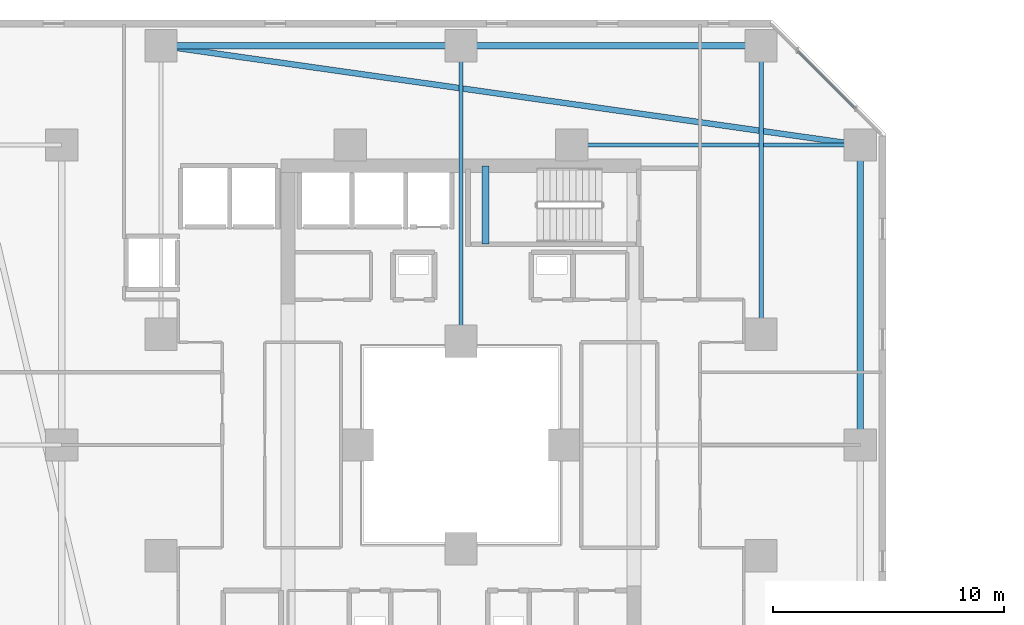
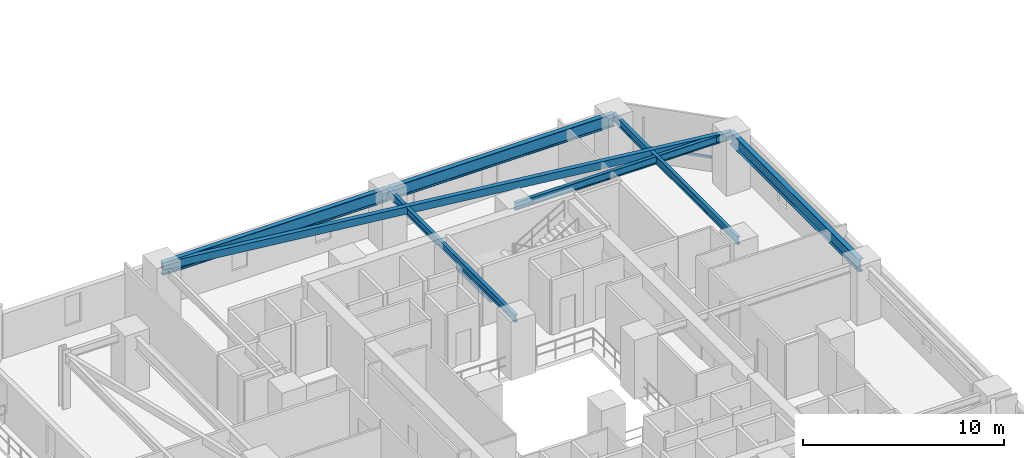
# One storey, part 8 of 33: 8 beams, 1 member, 1 element without a shape of its own.
"""IFC4 building model written with IfcOpenShell, lengths in metres."""

from ifc_helpers import new_model, si_unit, direction, frame, origin, origin_2d, place, context, subcontext, project, spatial, rectangle, hollow_rectangle, i_section, extrude, material, material_profile, profile_set, type_object, element, aggregate, save


model = new_model("IFC4")

# Units and contexts
model_context = context("Model", 3, precision=1e-05, world=origin(), true_north=direction((0.0, 1.0)))
body_context = subcontext(model_context, "Body", "Model", "MODEL_VIEW")
ifc_project = project(units=[si_unit("LENGTHUNIT", "METRE"), si_unit("AREAUNIT", "SQUARE_METRE"), si_unit("VOLUMEUNIT", "CUBIC_METRE"), si_unit("PLANEANGLEUNIT", "RADIAN"), si_unit("MASSUNIT", "GRAM", prefix="KILO")], contexts=[model_context])

# Site, building, storey
site_placement = place(None, origin())
site = spatial("IfcSite", under=ifc_project, at=site_placement, CompositionType="ELEMENT")
building_placement = place(site_placement, origin())
building = spatial("IfcBuilding", under=site, at=building_placement, Name="Thornwick Lancets Civic Towers", CompositionType="ELEMENT")
storey_placement = place(building_placement, frame((0.0, 0.0, 42.300048828125)))
storey = spatial("IfcBuildingStorey", under=building, at=storey_placement, Name="L10", CompositionType="ELEMENT", Elevation=42.300048828125)

# Beams
ifc_material_1 = material(Name="Steel S355JR", Category="steel")
ifc_material_profile_1 = material_profile(ifc_material_1, i_section(OverallWidth=0.26806640625, OverallDepth=0.769775390625, WebThickness=0.015625, FlangeThickness=0.025390625, FilletRadius=0.0166015625, at=origin_2d()), Name="UKB 762x267x197")
ifc_profile_set_1 = profile_set([ifc_material_profile_1], Name="Steel S355JR")
beam_type_1 = type_object("IfcBeamType", Name="BM_GIRD_762_197", PredefinedType="BEAM", material=ifc_profile_set_1)
beam_1_placement = place(storey_placement, frame((42.800048828125, 27.080078125, 2.97509765625), z_axis=(0.0, 1.0, 0.0), x_axis=(-1.0, 0.0, 0.0)))
element("IfcBeam", 1, at=beam_1_placement, inside=storey, type_object=beam_type_1, Name="BM-SPINE-L10-A-4-5", PredefinedType="BEAM", context=body_context, shape_type="SweptSolid", body=[
    extrude(i_section(OverallWidth=0.26806640625, OverallDepth=0.769775390625, WebThickness=0.015625, FlangeThickness=0.025390625, FilletRadius=0.0166015625, at=origin_2d()), origin(), (0.0, 0.0, 1.0), 12.919921875),
])
beam_2_placement = place(storey_placement, frame((12.5, 44.300048828125, 2.97509765625), z_axis=(1.0, 0.0, 0.0), x_axis=(0.0, 1.0, 0.0)))
element("IfcBeam", 2, at=beam_2_placement, inside=storey, type_object=beam_type_1, Name="BM-SPINE-L10-A-6-7", PredefinedType="BEAM", context=body_context, shape_type="SweptSolid", body=[
    extrude(i_section(OverallWidth=0.26806640625, OverallDepth=0.769775390625, WebThickness=0.015625, FlangeThickness=0.025390625, FilletRadius=0.0166015625, at=origin_2d()), origin(), (0.0, 0.0, 1.0), 13.0),
])
beam_3_placement = place(storey_placement, frame((25.580078125, 44.300048828125, 2.97509765625), z_axis=(1.0, 0.0, 0.0), x_axis=(0.0, 1.0, 0.0)))
element("IfcBeam", 3, at=beam_3_placement, inside=storey, type_object=beam_type_1, Name="BM-SPINE-L10-A-7-8", PredefinedType="BEAM", context=body_context, shape_type="SweptSolid", body=[
    extrude(i_section(OverallWidth=0.26806640625, OverallDepth=0.769775390625, WebThickness=0.015625, FlangeThickness=0.025390625, FilletRadius=0.0166015625, at=origin_2d()), origin(), (0.0, 0.0, 1.0), 12.919921875),
])
ifc_material_profile_2 = material_profile(ifc_material_1, i_section(OverallWidth=0.19189453125, OverallDepth=0.46337890625, WebThickness=0.010498046875, FlangeThickness=0.017578125, FilletRadius=0.01025390625, at=origin_2d()), Name="UKB 457x191x89")
ifc_profile_set_2 = profile_set([ifc_material_profile_2], Name="Steel S355JR")
beam_type_2 = type_object("IfcBeamType", Name="BM_JOIST_457_89", PredefinedType="JOIST", material=ifc_profile_set_2)
beam_4_placement = place(storey_placement, frame((30.300048828125, 40.0, 3.128173828125), z_axis=(1.0, 0.0, 0.0), x_axis=(0.0, 1.0, 0.0)))
element("IfcBeam", 4, at=beam_4_placement, inside=storey, type_object=beam_type_2, Name="BM-RADIN-L10-A06", PredefinedType="JOIST", context=body_context, shape_type="SweptSolid", body=[
    extrude(i_section(OverallWidth=0.19189453125, OverallDepth=0.46337890625, WebThickness=0.010498046875, FlangeThickness=0.017578125, FilletRadius=0.01025390625, at=origin_2d()), origin(), (0.0, 0.0, 1.0), 12.5),
])
beam_5_placement = place(storey_placement, frame((25.5, 31.5, 3.128173828125), z_axis=(0.0, 1.0, 0.0), x_axis=(-1.0, 0.0, 0.0)))
element("IfcBeam", 5, at=beam_5_placement, inside=storey, type_object=beam_type_2, Name="BM-RADIN-L10-A08", PredefinedType="JOIST", context=body_context, shape_type="SweptSolid", body=[
    extrude(i_section(OverallWidth=0.19189453125, OverallDepth=0.46337890625, WebThickness=0.010498046875, FlangeThickness=0.017578125, FilletRadius=0.01025390625, at=origin_2d()), origin(), (0.0, 0.0, 1.0), 12.800048828125),
])
beam_6_placement = place(storey_placement, frame((38.5, 31.800048828125, 3.128173828125), z_axis=(0.0, 1.0, 0.0), x_axis=(-1.0, 0.0, 0.0)))
element("IfcBeam", 6, at=beam_6_placement, inside=storey, type_object=beam_type_2, Name="BM-RADIN-L10-A09", PredefinedType="JOIST", context=body_context, shape_type="SweptSolid", body=[
    extrude(i_section(OverallWidth=0.19189453125, OverallDepth=0.46337890625, WebThickness=0.010498046875, FlangeThickness=0.017578125, FilletRadius=0.01025390625, at=origin_2d()), origin(), (0.0, 0.0, 1.0), 12.5),
])
ifc_material_profile_3 = material_profile(ifc_material_1, hollow_rectangle(XDim=0.25, YDim=0.449951171875, WallThickness=0.01611328125, at=origin_2d()), Name="RHS 450x250x16")
ifc_profile_set_3 = profile_set([ifc_material_profile_3], Name="Steel S355JR")
beam_type_3 = type_object("IfcBeamType", Name="BM_RING_RHS450", PredefinedType="BEAM", material=ifc_profile_set_3)
beam_7_placement = place(storey_placement, frame((42.800048828125, 40.0, 3.135009765625), z_axis=(-0.990079584012, 0.140507712682, 0.0), x_axis=(-0.140507712682, -0.990079584012, 0.0)))
element("IfcBeam", 7, at=beam_7_placement, inside=storey, type_object=beam_type_3, Name="BM-CHAMF-L10-A-C1", PredefinedType="BEAM", context=body_context, shape_type="SweptSolid", body=[
    extrude(hollow_rectangle(XDim=0.25, YDim=0.449951171875, WallThickness=0.01611328125, at=origin_2d()), origin(), (0.0, 0.0, 1.0), 30.603759765625),
])
ifc_material_2 = material(Name="Concrete C40/50", Category="concrete")
ifc_material_profile_4 = material_profile(ifc_material_2, rectangle(XDim=0.300048828125, YDim=0.35009765625, at=origin_2d()), Name="RC 300x350")
ifc_profile_set_4 = profile_set([ifc_material_profile_4], Name="Concrete C40/50")
beam_type_4 = type_object("IfcBeamType", Name="BM_STAIR_LDG", PredefinedType="BEAM", material=ifc_profile_set_4)
beam_8_placement = place(storey_placement, frame((26.56494140625, 39.10009765625, 1.3779296875), z_axis=(0.0, -1.0, 0.0), x_axis=(1.0, 0.0, 0.0)))
element("IfcBeam", 8, at=beam_8_placement, inside=storey, type_object=beam_type_4, Name="L10 ST-A2 Landing Support Beam 1", PredefinedType="BEAM", context=body_context, shape_type="SweptSolid", body=[
    extrude(rectangle(XDim=0.300048828125, YDim=0.35009765625, at=origin_2d()), origin(), (0.0, 0.0, 1.0), 3.400146484375),
])

# Curtain wall, member
ifc_material_3 = material(Name="Low-zone chamfered-corner unitised glass curtain wall", Category="glass")
curtain_wall_type = type_object("IfcCurtainWallType", Name="CW_SYS_03", PredefinedType="NOTDEFINED", material=ifc_material_3)
curtain_wall_placement = place(storey_placement, origin())
curtain_wall = element("IfcCurtainWall", 9, at=curtain_wall_placement, inside=storey, type_object=curtain_wall_type, Name="L10 Curtain Wall CW-L10-A-E3", PredefinedType="NOTDEFINED")
ifc_material_4 = material(Name="Thermally broken bronze aluminium S355", Category="steel")
ifc_material_profile_5 = material_profile(ifc_material_4, hollow_rectangle(XDim=0.074951171875, YDim=0.14990234375, WallThickness=0.0048828125, at=origin_2d()), Name="RHS 150x75x5")
ifc_profile_set_5 = profile_set([ifc_material_profile_5], Name="Thermally broken bronze aluminium S355")
member_type = type_object("IfcMemberType", Name="CW_TRN_150", PredefinedType="USERDEFINED", material=ifc_profile_set_5)
member_placement = place(storey_placement, frame((42.580322265625, 41.576416015625, 0.849853515625), z_axis=(-0.707106781187, 0.707106781187, 0.0), x_axis=(-0.707106781187, -0.707106781187, 0.0)))
member = element("IfcMember", 10, at=member_placement, type_object=member_type, Name="CW-L10-A-E3 Transom 0", ObjectType="TRANSOM", PredefinedType="USERDEFINED", context=body_context, shape_type="SweptSolid", body=[
    extrude(hollow_rectangle(XDim=0.074951171875, YDim=0.14990234375, WallThickness=0.0048828125, at=origin_2d()), origin(), (0.0, 0.0, 1.0), 3.541015625),
])
aggregate(curtain_wall, [member])

save(model, "model.ifc")
